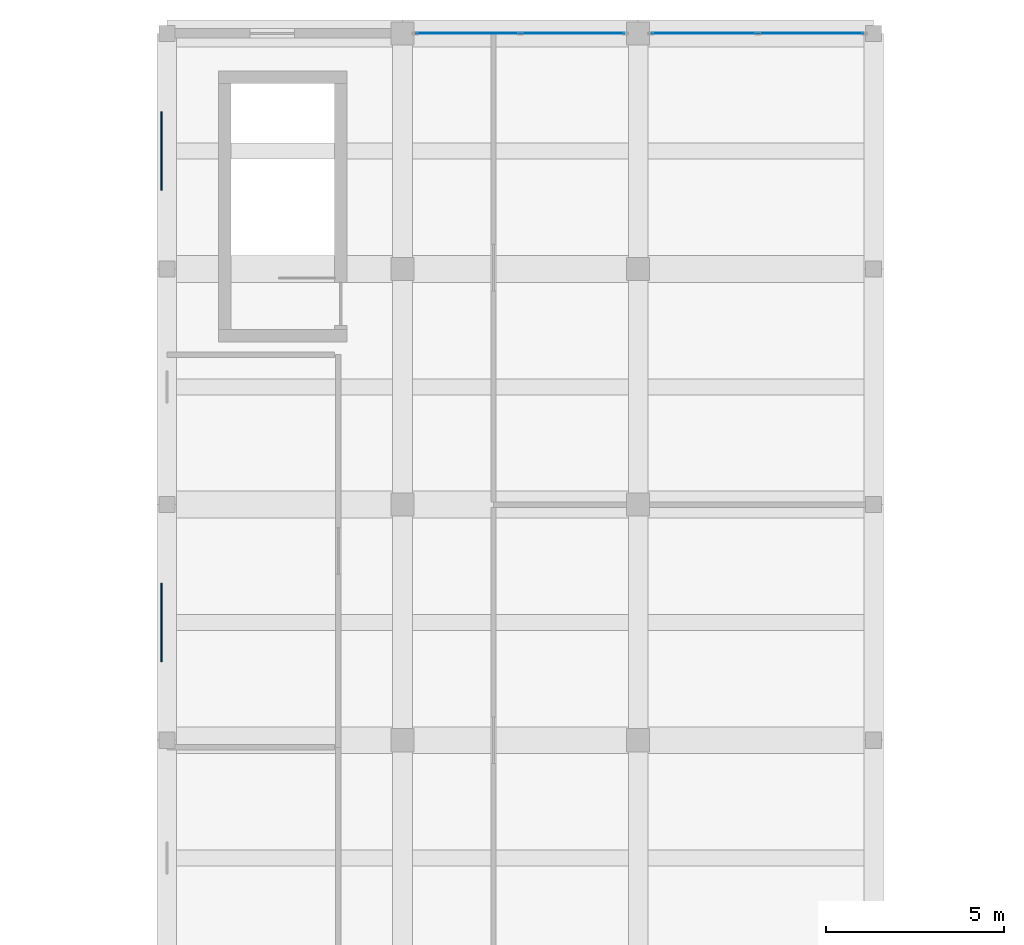
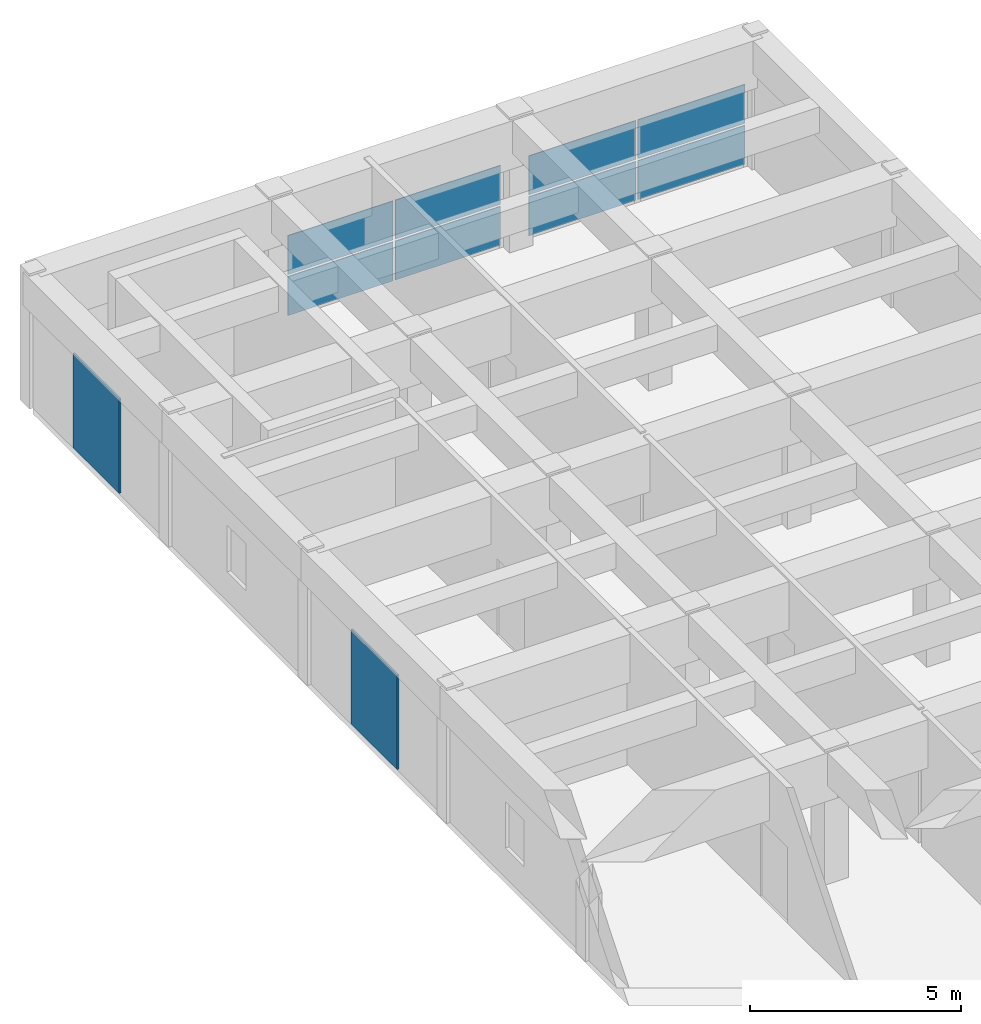
# One storey, part 101 of 134: 10 plates, 2 elements without a shape of their own.
"""IFC4 building model written with IfcOpenShell, lengths in metres."""

import ifcopenshell
import ifcopenshell.guid

model = None  # the IFC model being written
_history = None  # IfcOwnerHistory: only IFC2X3 demands one
_inside = {}  # id of a spatial element -> (the spatial element, [elements in it])
_under = {}  # id of a project, library or spatial element -> (it, [spatial elements below it])
_declared = {}  # id of a project -> (the project, [libraries it declares])
_typed = {}  # id of a type object -> (the type object, [elements of that type])
_made_of = {}  # id of a material, layer set ... -> (it, [elements and type objects made of it])


def new_model(schema):
    """Start an empty IFC model of exactly this schema.

    Asked for "IFC4X3", IfcOpenShell would pick the latest addendum, in which some entities
    have other attributes; the version numbers below select the first issue.
    IFC2X3 requires an IfcOwnerHistory on every rooted entity: one is made here for all.
    """
    global model, _history
    if schema == "IFC4X3":
        model = ifcopenshell.file(schema_version=(4, 3, 0, 0))
    else:
        model = ifcopenshell.file(schema=schema)
    _inside.clear()
    _under.clear()
    _declared.clear()
    _typed.clear()
    _made_of.clear()
    _history = None
    if model.schema == "IFC2X3":
        org = make("IfcOrganization", Name="unknown")
        user = make(
            "IfcPersonAndOrganization",
            ThePerson=make("IfcPerson", FamilyName="unknown"),
            TheOrganization=org,
        )
        app = make(
            "IfcApplication",
            ApplicationDeveloper=org,
            Version="unknown",
            ApplicationFullName="unknown",
            ApplicationIdentifier="unknown",
        )
        _history = make(
            "IfcOwnerHistory",
            OwningUser=user,
            OwningApplication=app,
            ChangeAction="ADDED",
            CreationDate=0,
        )
    return model


def make(cls, **values):
    """One entity of the class cls with the attributes given. An attribute that is None is left unset."""
    return model.create_entity(
        cls, **{name: value for name, value in values.items() if value is not None}
    )


def rooted(cls, **values):
    """An entity with a GlobalId (a new one), such as an element, a storey or a relation."""
    return make(cls, GlobalId=ifcopenshell.guid.new(), OwnerHistory=_history, **values)


def si_unit(unit_type, name, prefix=None):
    """IfcSIUnit, for example si_unit("LENGTHUNIT", "METRE", prefix="MILLI")."""
    return make("IfcSIUnit", UnitType=unit_type, Prefix=prefix, Name=name)


def assignment(units):
    """IfcUnitAssignment: the units of a project."""
    return None if units is None else make("IfcUnitAssignment", Units=units)


def point(xyz):
    """IfcCartesianPoint."""
    return None if xyz is None else make("IfcCartesianPoint", Coordinates=xyz)


def direction(xyz):
    """IfcDirection."""
    return None if xyz is None else make("IfcDirection", DirectionRatios=xyz)


def frame(location, z_axis=None, x_axis=None):
    """IfcAxis2Placement3D, a coordinate frame: its origin and axes. An axis left out is left unset."""
    return make(
        "IfcAxis2Placement3D",
        Location=point(location),
        Axis=direction(z_axis),
        RefDirection=direction(x_axis),
    )


def frame_2d(location, x_axis=None):
    """IfcAxis2Placement2D, a coordinate frame in the plane: its origin and x axis."""
    return make(
        "IfcAxis2Placement2D", Location=point(location), RefDirection=direction(x_axis)
    )


def origin():
    """The frame at (0, 0, 0) with its axes left unset."""
    return frame((0.0, 0.0, 0.0))


def origin_2d():
    """The frame at (0, 0) in the plane with its x axis left unset."""
    return frame_2d((0.0, 0.0))


def place(relative_to, where):
    """IfcLocalPlacement: puts the frame where relative to a parent placement (None: the world)."""
    return make(
        "IfcLocalPlacement", PlacementRelTo=relative_to, RelativePlacement=where
    )


def context(
    kind, dimensions, precision=None, world=None, true_north=None, identifier=None
):
    """IfcGeometricRepresentationContext, for example the 3D "Model" context."""
    return make(
        "IfcGeometricRepresentationContext",
        ContextIdentifier=identifier,
        ContextType=kind,
        CoordinateSpaceDimension=dimensions,
        Precision=precision,
        WorldCoordinateSystem=world,
        TrueNorth=true_north,
    )


def subcontext(parent, identifier, kind, view, scale=None):
    """IfcGeometricRepresentationSubContext, for example "Body" below "Model"."""
    return make(
        "IfcGeometricRepresentationSubContext",
        ContextIdentifier=identifier,
        ContextType=kind,
        ParentContext=parent,
        TargetScale=scale,
        TargetView=view,
    )


def project(units=None, contexts=None):
    """IfcProject with its units and contexts."""
    return rooted(
        "IfcProject",
        Name="project",
        RepresentationContexts=contexts,
        UnitsInContext=assignment(units),
    )


def spatial(cls, under=None, at=None, **own):
    """A site, building, storey or space (cls), placed at a placement, below another one or the project."""
    s = rooted(cls, ObjectPlacement=at, **own)
    if under is not None:
        _under.setdefault(under.id(), (under, []))[1].append(s)
    return s


def profile(cls, at=None, kind="AREA", **sizes):
    """A parametric profile (cls). Its sizes go by their IFC names, for example OverallWidth=200.0."""
    return make(cls, ProfileType=kind, Position=at, **sizes)


def rectangle(**sizes):
    """IfcRectangleProfileDef."""
    return profile("IfcRectangleProfileDef", **sizes)


def extrude(swept, where, along, depth):
    """IfcExtrudedAreaSolid: the profile swept, set in the frame where, extruded along a direction by depth."""
    return make(
        "IfcExtrudedAreaSolid",
        SweptArea=swept,
        Position=where,
        ExtrudedDirection=direction(along),
        Depth=depth,
    )


def shape(context_of_items, identifier, shape_type, items):
    """IfcShapeRepresentation: the items that make up one representation, for example the "Body"."""
    return make(
        "IfcShapeRepresentation",
        ContextOfItems=context_of_items,
        RepresentationIdentifier=identifier,
        RepresentationType=shape_type,
        Items=items,
    )


def material(Name=None, Category=None):
    """IfcMaterial."""
    return make("IfcMaterial", Name=Name, Category=Category)


def layer(
    of_material, thickness, ventilated=None, Name=None, Category=None, Priority=None
):
    """IfcMaterialLayer: one layer of a wall or slab, of a material (None: an air gap)."""
    return make(
        "IfcMaterialLayer",
        Material=of_material,
        LayerThickness=thickness,
        IsVentilated=ventilated,
        Name=Name,
        Category=Category,
        Priority=Priority,
    )


def layer_set(layers, Name=None):
    """IfcMaterialLayerSet."""
    return make("IfcMaterialLayerSet", MaterialLayers=layers, LayerSetName=Name)


def made_of(thing, what):
    """Note that an element or type object is made of a material, layer set ...; save() writes the relation."""
    if what is not None:
        _made_of.setdefault(what.id(), (what, []))[1].append(thing)
    return thing


def type_object(cls, material=None, **own):
    """A type object (cls), such as IfcWallType, which elements share."""
    return made_of(rooted(cls, **own), material)


def element(
    cls,
    number,
    at=None,
    inside=None,
    cuts=None,
    type_object=None,
    material=None,
    context=None,
    identifier="Body",
    shape_type=None,
    held_by="IfcProductDefinitionShape",
    body=None,
    shapes=None,
    **own,
):
    """One element of the class cls, such as IfcWall. Its Tag is "e" and its number.

    at: its placement. inside: the storey or other place that contains it. cuts: it is an
    opening in that element (IfcRelVoidsElement). A single representation is given by context,
    identifier, shape_type and body (its items); several are given by shapes. held_by: the class
    of the entity that holds the representations. save() writes the other relations.
    """
    e = rooted(cls, Tag="e%d" % number, ObjectPlacement=at, **own)
    if body is not None:
        shapes = [shape(context, identifier, shape_type, body)]
    if shapes is not None:
        e.Representation = make(held_by, Representations=shapes)
    if inside is not None:
        _inside.setdefault(inside.id(), (inside, []))[1].append(e)
    if cuts is not None:
        rooted(
            "IfcRelVoidsElement", RelatingBuildingElement=cuts, RelatedOpeningElement=e
        )
    if type_object is not None:
        _typed.setdefault(type_object.id(), (type_object, []))[1].append(e)
    return made_of(e, material)


def aggregate(whole, parts):
    """IfcRelAggregates: a whole, such as a stair, and the parts it consists of."""
    return rooted("IfcRelAggregates", RelatingObject=whole, RelatedObjects=parts)


def save(model, path):
    """Write the relations noted so far, then the file.

    IfcRelAggregates (storeys below a building ...), IfcRelContainedInSpatialStructure (elements
    in a storey), IfcRelDefinesByType, IfcRelAssociatesMaterial and IfcRelDeclares: one each for
    every whole, place, type object, material and project.
    """
    for whole, parts in _under.values():
        aggregate(whole, parts)
    for where, things in _inside.values():
        rooted(
            "IfcRelContainedInSpatialStructure",
            RelatedElements=things,
            RelatingStructure=where,
        )
    for kind, things in _typed.values():
        rooted("IfcRelDefinesByType", RelatedObjects=things, RelatingType=kind)
    for what, things in _made_of.values():
        rooted("IfcRelAssociatesMaterial", RelatedObjects=things, RelatingMaterial=what)
    for by, libraries in _declared.values():
        rooted("IfcRelDeclares", RelatingContext=by, RelatedDefinitions=libraries)
    model.write(path)


model = new_model("IFC4")

# Units and contexts
model_context = context("Model", 3, precision=1e-05, world=origin(), true_north=direction((0.0, 1.0)))
body_context = subcontext(model_context, "Body", "Model", "MODEL_VIEW")
ifc_project = project(units=[si_unit("LENGTHUNIT", "METRE"), si_unit("AREAUNIT", "SQUARE_METRE"), si_unit("VOLUMEUNIT", "CUBIC_METRE"), si_unit("PLANEANGLEUNIT", "RADIAN"), si_unit("MASSUNIT", "GRAM", prefix="KILO")], contexts=[model_context])

# Site, building, storey
site_placement = place(None, origin())
site = spatial("IfcSite", under=ifc_project, at=site_placement, CompositionType="ELEMENT")
building_placement = place(site_placement, origin())
building = spatial("IfcBuilding", under=site, at=building_placement, Name="Karori Crest Natural Sciences Institute", CompositionType="ELEMENT")
storey_placement = place(building_placement, frame((0.0, 0.0, 21.699951171875)))
storey = spatial("IfcBuildingStorey", under=building, at=storey_placement, Name="L05", CompositionType="ELEMENT", Elevation=21.699951171875)

# Curtain wall, plates
ifc_material_1 = material(Name="Anodised architectural aluminium 6063-T6", Category="aluminium")
curtain_wall_type = type_object("IfcCurtainWallType", Name="CWT-19", PredefinedType="NOTDEFINED", material=ifc_material_1)
curtain_wall_1_placement = place(storey_placement, origin())
curtain_wall_1 = element("IfcCurtainWall", 1, at=curtain_wall_1_placement, inside=storey, type_object=curtain_wall_type, Name="Curtain wall CW-0294", PredefinedType="NOTDEFINED")
ifc_material_2 = material(Name="Double low-E laminated glass", Category="glass")
ifc_layer_1 = layer(ifc_material_2, 0.02392578125, Name="Double low-E laminated glass")
ifc_layer_set_1 = layer_set([ifc_layer_1], Name="Double low-E laminated glass")
plate_type_1 = type_object("IfcPlateType", Name="CWP-01", PredefinedType="CURTAIN_PANEL", material=ifc_layer_set_1)
plate_1_placement = place(storey_placement, frame((15.82763671875, 147.800048828125, 0.06005859375), z_axis=(0.0, 0.0, 1.0), x_axis=(1.0, 0.0, 0.0)))
plate_1 = element("IfcPlate", 2, at=plate_1_placement, type_object=plate_type_1, Name="CW-0294 panel 1.1", PredefinedType="CURTAIN_PANEL", context=body_context, shape_type="SweptSolid", body=[
    extrude(rectangle(XDim=2.87939453125, YDim=0.02392578125, at=origin_2d()), origin(), (0.0, 0.0, 1.0), 1.12744140625),
])
plate_2_placement = place(storey_placement, frame((15.82763671875, 147.800048828125, 1.24755859375), z_axis=(0.0, 0.0, 1.0), x_axis=(1.0, 0.0, 0.0)))
plate_2 = element("IfcPlate", 3, at=plate_2_placement, type_object=plate_type_1, Name="CW-0294 panel 1.2", PredefinedType="CURTAIN_PANEL", context=body_context, shape_type="SweptSolid", body=[
    extrude(rectangle(XDim=2.87939453125, YDim=0.02392578125, at=origin_2d()), origin(), (0.0, 0.0, 1.0), 1.12744140625),
])
plate_3_placement = place(storey_placement, frame((18.772216796875, 147.800048828125, 0.06005859375), z_axis=(0.0, 0.0, 1.0), x_axis=(1.0, 0.0, 0.0)))
plate_3 = element("IfcPlate", 4, at=plate_3_placement, type_object=plate_type_1, Name="CW-0294 panel 2.1", PredefinedType="CURTAIN_PANEL", context=body_context, shape_type="SweptSolid", body=[
    extrude(rectangle(XDim=2.87939453125, YDim=0.02392578125, at=origin_2d()), origin(), (0.0, 0.0, 1.0), 1.12744140625),
])
plate_4_placement = place(storey_placement, frame((18.772216796875, 147.800048828125, 1.24755859375), z_axis=(0.0, 0.0, 1.0), x_axis=(1.0, 0.0, 0.0)))
plate_4 = element("IfcPlate", 5, at=plate_4_placement, type_object=plate_type_1, Name="CW-0294 panel 2.2", PredefinedType="CURTAIN_PANEL", context=body_context, shape_type="SweptSolid", body=[
    extrude(rectangle(XDim=2.87939453125, YDim=0.02392578125, at=origin_2d()), origin(), (0.0, 0.0, 1.0), 1.12744140625),
])
aggregate(curtain_wall_1, [plate_1, plate_2, plate_3, plate_4])

curtain_wall_2_placement = place(storey_placement, origin())
curtain_wall_2 = element("IfcCurtainWall", 6, at=curtain_wall_2_placement, inside=storey, type_object=curtain_wall_type, Name="Curtain wall CW-0295", PredefinedType="NOTDEFINED")
plate_5_placement = place(storey_placement, frame((22.45263671875, 147.800048828125, 0.06005859375), z_axis=(0.0, 0.0, 1.0), x_axis=(1.0, 0.0, 0.0)))
plate_5 = element("IfcPlate", 7, at=plate_5_placement, type_object=plate_type_1, Name="CW-0295 panel 1.1", PredefinedType="CURTAIN_PANEL", context=body_context, shape_type="SweptSolid", body=[
    extrude(rectangle(XDim=2.929443359375, YDim=0.02392578125, at=origin_2d()), origin(), (0.0, 0.0, 1.0), 1.12744140625),
])
plate_6_placement = place(storey_placement, frame((22.45263671875, 147.800048828125, 1.24755859375), z_axis=(0.0, 0.0, 1.0), x_axis=(1.0, 0.0, 0.0)))
plate_6 = element("IfcPlate", 8, at=plate_6_placement, type_object=plate_type_1, Name="CW-0295 panel 1.2", PredefinedType="CURTAIN_PANEL", context=body_context, shape_type="SweptSolid", body=[
    extrude(rectangle(XDim=2.929443359375, YDim=0.02392578125, at=origin_2d()), origin(), (0.0, 0.0, 1.0), 1.12744140625),
])
plate_7_placement = place(storey_placement, frame((25.447265625, 147.800048828125, 0.06005859375), z_axis=(0.0, 0.0, 1.0), x_axis=(1.0, 0.0, 0.0)))
plate_7 = element("IfcPlate", 9, at=plate_7_placement, type_object=plate_type_1, Name="CW-0295 panel 2.1", PredefinedType="CURTAIN_PANEL", context=body_context, shape_type="SweptSolid", body=[
    extrude(rectangle(XDim=2.929443359375, YDim=0.02392578125, at=origin_2d()), origin(), (0.0, 0.0, 1.0), 1.12744140625),
])
plate_8_placement = place(storey_placement, frame((25.447265625, 147.800048828125, 1.24755859375), z_axis=(0.0, 0.0, 1.0), x_axis=(1.0, 0.0, 0.0)))
plate_8 = element("IfcPlate", 10, at=plate_8_placement, type_object=plate_type_1, Name="CW-0295 panel 2.2", PredefinedType="CURTAIN_PANEL", context=body_context, shape_type="SweptSolid", body=[
    extrude(rectangle(XDim=2.929443359375, YDim=0.02392578125, at=origin_2d()), origin(), (0.0, 0.0, 1.0), 1.12744140625),
])
aggregate(curtain_wall_2, [plate_5, plate_6, plate_7, plate_8])

# Plates
ifc_layer_2 = layer(ifc_material_1, 0.013916015625, Name="Anodised architectural aluminium 6063-T6")
ifc_layer_set_2 = layer_set([ifc_layer_2], Name="Anodised architectural aluminium 6063-T6")
plate_type_2 = type_object("IfcPlateType", Name="PLT-01", PredefinedType="SHEET", material=ifc_layer_set_2)
for number, where, z_axis, x_axis, name in (
    (11, (7.25, 131.300048828125, 0.0751953125), (0.0, 0.0, 1.0), (1.0, 0.0, 0.0), "Metabolist service chase cladding PL-0017"),
    (12, (7.25, 144.5, 0.0751953125), (0.0, 0.0, 1.0), (1.0, 0.0, 0.0), "Metabolist service chase cladding PL-0018"),
):
    element("IfcPlate", number, at=place(storey_placement, frame(where, z_axis=z_axis, x_axis=x_axis)), inside=storey, type_object=plate_type_2, Name=name, PredefinedType="SHEET", context=body_context, shape_type="SweptSolid", body=[
        extrude(rectangle(XDim=0.052001953125, YDim=2.199951171875, at=origin_2d()), origin(), (0.0, 0.0, 1.0), 2.735107421875),
    ])

save(model, "model.ifc")
